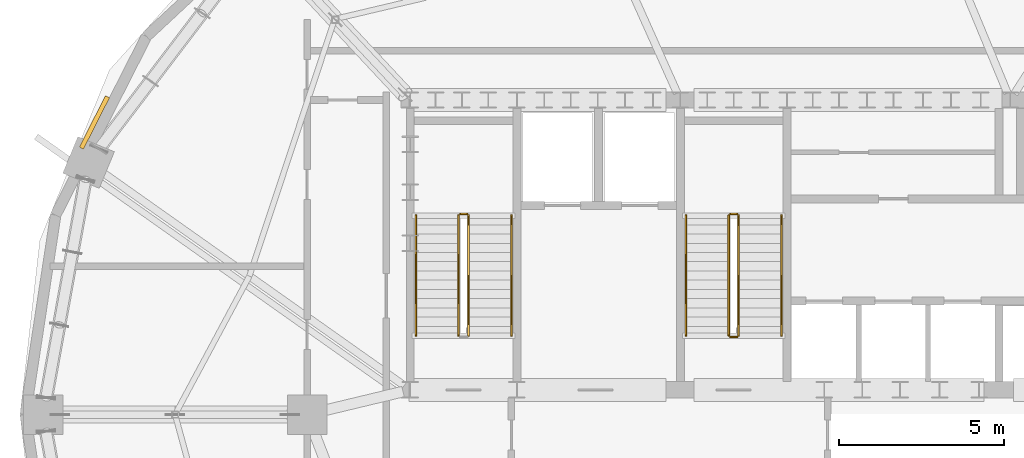
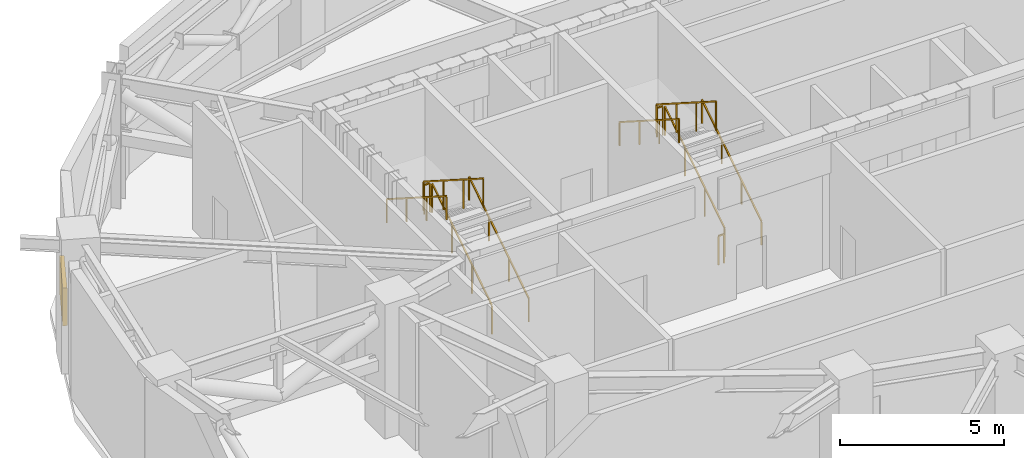
# One storey, part 15 of 17: 11 railings, 1 shading device.
"""IFC4 building model written with IfcOpenShell, lengths in metres."""

from ifc_helpers import new_model, si_unit, direction, frame, origin, origin_2d, place, context, subcontext, project, spatial, rectangle, extrude, material, type_object, element, save


model = new_model("IFC4")

# Units and contexts
model_context = context("Model", 3, precision=1e-05, world=origin(), true_north=direction((0.0, 1.0)))
body_context = subcontext(model_context, "Body", "Model", "MODEL_VIEW")
ifc_project = project(units=[si_unit("LENGTHUNIT", "METRE"), si_unit("AREAUNIT", "SQUARE_METRE"), si_unit("VOLUMEUNIT", "CUBIC_METRE"), si_unit("PLANEANGLEUNIT", "RADIAN"), si_unit("MASSUNIT", "GRAM", prefix="KILO")], contexts=[model_context])

# Site, building, storey
site_placement = place(None, origin())
site = spatial("IfcSite", under=ifc_project, at=site_placement, CompositionType="ELEMENT")
building_placement = place(site_placement, origin())
building = spatial("IfcBuilding", under=site, at=building_placement, Name="Haldorwick Loom Tower", CompositionType="ELEMENT")
storey_placement = place(building_placement, frame((0.0, 0.0, 149.449951171875)))
storey = spatial("IfcBuildingStorey", under=building, at=storey_placement, Name="L40", CompositionType="ELEMENT", Elevation=149.449951171875)

# Railings
ifc_material_1 = material(Name="Steel CSA G40.21 350W", Category="steel")
railing_type_1 = type_object("IfcRailingType", Name="ARC-RLG-GUARD112", PredefinedType="GUARDRAIL", material=ifc_material_1)
railing_1_placement = place(storey_placement, frame((23.699951171875, 28.39990234375, 0.1787109375)))
element("IfcRailing", 1, at=railing_1_placement, inside=storey, type_object=railing_type_1, Name="L40 ST-01 stair guard 1", PredefinedType="GUARDRAIL", context=body_context, shape_type="SweptSolid", body=[
    extrude(rectangle(XDim=0.048095703125, YDim=0.048095703125, at=origin_2d()), frame((0.0, 0.0, 1.076171875), z_axis=(0.0, 0.843153495434, 0.537672933239), x_axis=(-1.0, 0.0, 0.0)), (0.0, 0.0, 1.0), 4.3173828125),
    extrude(rectangle(XDim=0.0419921875, YDim=0.0419921875, at=origin_2d()), origin(), (0.0, 0.0, 1.0), 1.052001953125),
    extrude(rectangle(XDim=0.0419921875, YDim=0.0419921875, at=origin_2d()), frame((0.0, 1.21337890625, 0.773681640625)), (0.0, 0.0, 1.0), 1.052001953125),
    extrude(rectangle(XDim=0.0419921875, YDim=0.0419921875, at=origin_2d()), frame((0.0, 2.4267578125, 1.547607421875)), (0.0, 0.0, 1.0), 1.052001953125),
    extrude(rectangle(XDim=0.0419921875, YDim=0.0419921875, at=origin_2d()), frame((0.0, 3.64013671875, 2.3212890625)), (0.0, 0.0, 1.0), 1.052001953125),
])
railing_2_placement = place(storey_placement, frame((23.64990234375, 32.090087890625, 2.5)))
element("IfcRailing", 2, at=railing_2_placement, inside=storey, type_object=railing_type_1, Name="L40 ST-01 stair guard 2", PredefinedType="GUARDRAIL", context=body_context, shape_type="SweptSolid", body=[
    extrude(rectangle(XDim=0.048095703125, YDim=0.048095703125, at=origin_2d()), frame((0.0, 0.0, 1.076171875), z_axis=(-1.0, 0.0, 0.0), x_axis=(0.0, -1.0, 0.0)), (0.0, 0.0, 1.0), 0.199951171875),
    extrude(rectangle(XDim=0.0419921875, YDim=0.0419921875, at=origin_2d()), origin(), (0.0, 0.0, 1.0), 1.052001953125),
    extrude(rectangle(XDim=0.0419921875, YDim=0.0419921875, at=origin_2d()), frame((-0.199951171875, 0.0, 0.0)), (0.0, 0.0, 1.0), 1.052001953125),
])
railing_3_placement = place(storey_placement, frame((23.39990234375, 32.0400390625, 2.6787109375)))
element("IfcRailing", 3, at=railing_3_placement, inside=storey, type_object=railing_type_1, Name="L40 ST-01 stair guard 3", PredefinedType="GUARDRAIL", context=body_context, shape_type="SweptSolid", body=[
    extrude(rectangle(XDim=0.048095703125, YDim=0.048095703125, at=origin_2d()), frame((0.0, 0.0, 1.076171875), z_axis=(0.0, -0.843153495434, 0.537672933239), x_axis=(1.0, 0.0, 0.0)), (0.0, 0.0, 1.0), 4.3173828125),
    extrude(rectangle(XDim=0.0419921875, YDim=0.0419921875, at=origin_2d()), origin(), (0.0, 0.0, 1.0), 1.052001953125),
    extrude(rectangle(XDim=0.0419921875, YDim=0.0419921875, at=origin_2d()), frame((0.0, -1.21337890625, 0.773681640625)), (0.0, 0.0, 1.0), 1.052001953125),
    extrude(rectangle(XDim=0.0419921875, YDim=0.0419921875, at=origin_2d()), frame((0.0, -2.4267578125, 1.547607421875)), (0.0, 0.0, 1.0), 1.052001953125),
    extrude(rectangle(XDim=0.0419921875, YDim=0.0419921875, at=origin_2d()), frame((0.0, -3.64013671875, 2.3212890625)), (0.0, 0.0, 1.0), 1.052001953125),
])
railing_4_placement = place(storey_placement, frame((31.89990234375, 28.39990234375, 0.1787109375)))
element("IfcRailing", 4, at=railing_4_placement, inside=storey, type_object=railing_type_1, Name="L40 ST-03 stair guard 1", PredefinedType="GUARDRAIL", context=body_context, shape_type="SweptSolid", body=[
    extrude(rectangle(XDim=0.048095703125, YDim=0.048095703125, at=origin_2d()), frame((0.0, 0.0, 1.076171875), z_axis=(0.0, 0.843153495434, 0.537672933239), x_axis=(-1.0, 0.0, 0.0)), (0.0, 0.0, 1.0), 4.3173828125),
    extrude(rectangle(XDim=0.0419921875, YDim=0.0419921875, at=origin_2d()), origin(), (0.0, 0.0, 1.0), 1.052001953125),
    extrude(rectangle(XDim=0.0419921875, YDim=0.0419921875, at=origin_2d()), frame((0.0, 1.21337890625, 0.773681640625)), (0.0, 0.0, 1.0), 1.052001953125),
    extrude(rectangle(XDim=0.0419921875, YDim=0.0419921875, at=origin_2d()), frame((0.0, 2.4267578125, 1.547607421875)), (0.0, 0.0, 1.0), 1.052001953125),
    extrude(rectangle(XDim=0.0419921875, YDim=0.0419921875, at=origin_2d()), frame((0.0, 3.64013671875, 2.3212890625)), (0.0, 0.0, 1.0), 1.052001953125),
])
railing_5_placement = place(storey_placement, frame((31.85009765625, 32.090087890625, 2.5)))
element("IfcRailing", 5, at=railing_5_placement, inside=storey, type_object=railing_type_1, Name="L40 ST-03 stair guard 2", PredefinedType="GUARDRAIL", context=body_context, shape_type="SweptSolid", body=[
    extrude(rectangle(XDim=0.048095703125, YDim=0.048095703125, at=origin_2d()), frame((0.0, 0.0, 1.076171875), z_axis=(-1.0, 0.0, 0.0), x_axis=(0.0, -1.0, 0.0)), (0.0, 0.0, 1.0), 0.2001953125),
    extrude(rectangle(XDim=0.0419921875, YDim=0.0419921875, at=origin_2d()), origin(), (0.0, 0.0, 1.0), 1.052001953125),
    extrude(rectangle(XDim=0.0419921875, YDim=0.0419921875, at=origin_2d()), frame((-0.2001953125, 0.0, 0.0)), (0.0, 0.0, 1.0), 1.052001953125),
])
railing_6_placement = place(storey_placement, frame((31.60009765625, 32.0400390625, 2.6787109375)))
element("IfcRailing", 6, at=railing_6_placement, inside=storey, type_object=railing_type_1, Name="L40 ST-03 stair guard 3", PredefinedType="GUARDRAIL", context=body_context, shape_type="SweptSolid", body=[
    extrude(rectangle(XDim=0.048095703125, YDim=0.048095703125, at=origin_2d()), frame((0.0, 0.0, 1.076171875), z_axis=(0.0, -0.843153495434, 0.537672933239), x_axis=(1.0, 0.0, 0.0)), (0.0, 0.0, 1.0), 4.3173828125),
    extrude(rectangle(XDim=0.0419921875, YDim=0.0419921875, at=origin_2d()), origin(), (0.0, 0.0, 1.0), 1.052001953125),
    extrude(rectangle(XDim=0.0419921875, YDim=0.0419921875, at=origin_2d()), frame((0.0, -1.21337890625, 0.773681640625)), (0.0, 0.0, 1.0), 1.052001953125),
    extrude(rectangle(XDim=0.0419921875, YDim=0.0419921875, at=origin_2d()), frame((0.0, -2.4267578125, 1.547607421875)), (0.0, 0.0, 1.0), 1.052001953125),
    extrude(rectangle(XDim=0.0419921875, YDim=0.0419921875, at=origin_2d()), frame((0.0, -3.64013671875, 2.3212890625)), (0.0, 0.0, 1.0), 1.052001953125),
])
railing_7_placement = place(storey_placement, frame((31.85009765625, 28.35009765625, 0.0)))
element("IfcRailing", 7, at=railing_7_placement, inside=storey, type_object=railing_type_1, Name="L40 ST-03 stair guard 4", PredefinedType="GUARDRAIL", context=body_context, shape_type="SweptSolid", body=[
    extrude(rectangle(XDim=0.048095703125, YDim=0.048095703125, at=origin_2d()), frame((0.0, 0.0, 1.076171875), z_axis=(-1.0, 0.0, 0.0), x_axis=(0.0, -1.0, 0.0)), (0.0, 0.0, 1.0), 0.2001953125),
    extrude(rectangle(XDim=0.0419921875, YDim=0.0419921875, at=origin_2d()), origin(), (0.0, 0.0, 1.0), 1.052001953125),
    extrude(rectangle(XDim=0.0419921875, YDim=0.0419921875, at=origin_2d()), frame((-0.2001953125, 0.0, 0.0)), (0.0, 0.0, 1.0), 1.052001953125),
])
railing_type_2 = type_object("IfcRailingType", Name="ARC-RLG-HAND092", PredefinedType="HANDRAIL", material=ifc_material_1)
railing_8_placement = place(storey_placement, frame((25.0, 28.39990234375, 0.1787109375)))
element("IfcRailing", 8, at=railing_8_placement, inside=storey, type_object=railing_type_2, Name="L40 ST-01 stair handrail 1", PredefinedType="HANDRAIL", context=body_context, shape_type="SweptSolid", body=[
    extrude(rectangle(XDim=0.048095703125, YDim=0.048095703125, at=origin_2d()), frame((0.0, 0.0, 0.8759765625), z_axis=(0.0, 0.843153495434, 0.537672933239), x_axis=(-1.0, 0.0, 0.0)), (0.0, 0.0, 1.0), 4.3173828125),
    extrude(rectangle(XDim=0.0419921875, YDim=0.0419921875, at=origin_2d()), origin(), (0.0, 0.0, 1.0), 0.851806640625),
    extrude(rectangle(XDim=0.0419921875, YDim=0.0419921875, at=origin_2d()), frame((0.0, 1.21337890625, 0.773681640625)), (0.0, 0.0, 1.0), 0.851806640625),
    extrude(rectangle(XDim=0.0419921875, YDim=0.0419921875, at=origin_2d()), frame((0.0, 2.4267578125, 1.547607421875)), (0.0, 0.0, 1.0), 0.851806640625),
    extrude(rectangle(XDim=0.0419921875, YDim=0.0419921875, at=origin_2d()), frame((0.0, 3.64013671875, 2.3212890625)), (0.0, 0.0, 1.0), 0.851806640625),
])
railing_9_placement = place(storey_placement, frame((22.10009765625, 32.0400390625, 2.6787109375)))
element("IfcRailing", 9, at=railing_9_placement, inside=storey, type_object=railing_type_2, Name="L40 ST-01 stair handrail 2", PredefinedType="HANDRAIL", context=body_context, shape_type="SweptSolid", body=[
    extrude(rectangle(XDim=0.048095703125, YDim=0.048095703125, at=origin_2d()), frame((0.0, 0.0, 0.8759765625), z_axis=(0.0, -0.843153495434, 0.537672933239), x_axis=(1.0, 0.0, 0.0)), (0.0, 0.0, 1.0), 4.3173828125),
    extrude(rectangle(XDim=0.0419921875, YDim=0.0419921875, at=origin_2d()), origin(), (0.0, 0.0, 1.0), 0.851806640625),
    extrude(rectangle(XDim=0.0419921875, YDim=0.0419921875, at=origin_2d()), frame((0.0, -1.21337890625, 0.773681640625)), (0.0, 0.0, 1.0), 0.851806640625),
    extrude(rectangle(XDim=0.0419921875, YDim=0.0419921875, at=origin_2d()), frame((0.0, -2.4267578125, 1.547607421875)), (0.0, 0.0, 1.0), 0.851806640625),
    extrude(rectangle(XDim=0.0419921875, YDim=0.0419921875, at=origin_2d()), frame((0.0, -3.64013671875, 2.3212890625)), (0.0, 0.0, 1.0), 0.851806640625),
])
railing_10_placement = place(storey_placement, frame((33.199951171875, 28.39990234375, 0.1787109375)))
element("IfcRailing", 10, at=railing_10_placement, inside=storey, type_object=railing_type_2, Name="L40 ST-03 stair handrail 1", PredefinedType="HANDRAIL", context=body_context, shape_type="SweptSolid", body=[
    extrude(rectangle(XDim=0.048095703125, YDim=0.048095703125, at=origin_2d()), frame((0.0, 0.0, 0.8759765625), z_axis=(0.0, 0.843153495434, 0.537672933239), x_axis=(-1.0, 0.0, 0.0)), (0.0, 0.0, 1.0), 4.3173828125),
    extrude(rectangle(XDim=0.0419921875, YDim=0.0419921875, at=origin_2d()), origin(), (0.0, 0.0, 1.0), 0.851806640625),
    extrude(rectangle(XDim=0.0419921875, YDim=0.0419921875, at=origin_2d()), frame((0.0, 1.21337890625, 0.773681640625)), (0.0, 0.0, 1.0), 0.851806640625),
    extrude(rectangle(XDim=0.0419921875, YDim=0.0419921875, at=origin_2d()), frame((0.0, 2.4267578125, 1.547607421875)), (0.0, 0.0, 1.0), 0.851806640625),
    extrude(rectangle(XDim=0.0419921875, YDim=0.0419921875, at=origin_2d()), frame((0.0, 3.64013671875, 2.3212890625)), (0.0, 0.0, 1.0), 0.851806640625),
])
railing_11_placement = place(storey_placement, frame((30.300048828125, 32.0400390625, 2.6787109375)))
element("IfcRailing", 11, at=railing_11_placement, inside=storey, type_object=railing_type_2, Name="L40 ST-03 stair handrail 2", PredefinedType="HANDRAIL", context=body_context, shape_type="SweptSolid", body=[
    extrude(rectangle(XDim=0.048095703125, YDim=0.048095703125, at=origin_2d()), frame((0.0, 0.0, 0.8759765625), z_axis=(0.0, -0.843153495434, 0.537672933239), x_axis=(1.0, 0.0, 0.0)), (0.0, 0.0, 1.0), 4.3173828125),
    extrude(rectangle(XDim=0.0419921875, YDim=0.0419921875, at=origin_2d()), origin(), (0.0, 0.0, 1.0), 0.851806640625),
    extrude(rectangle(XDim=0.0419921875, YDim=0.0419921875, at=origin_2d()), frame((0.0, -1.21337890625, 0.773681640625)), (0.0, 0.0, 1.0), 0.851806640625),
    extrude(rectangle(XDim=0.0419921875, YDim=0.0419921875, at=origin_2d()), frame((0.0, -2.4267578125, 1.547607421875)), (0.0, 0.0, 1.0), 0.851806640625),
    extrude(rectangle(XDim=0.0419921875, YDim=0.0419921875, at=origin_2d()), frame((0.0, -3.64013671875, 2.3212890625)), (0.0, 0.0, 1.0), 0.851806640625),
])

# Shading device
ifc_material_2 = material(Name="Extruded Anodized Aluminium Weather Louvre", Category="aluminium")
shading_device_type = type_object("IfcShadingDeviceType", Name="ARC-SHD-LOUVRE2", PredefinedType="JALOUSIE", material=ifc_material_2)
shading_device_placement = place(storey_placement, frame((12.34375, 34.870361328125, 1.150146484375), z_axis=(0.0, 0.0, 1.0), x_axis=(-0.452434709312, -0.891797529605, 0.0)))
element("IfcShadingDevice", 12, at=shading_device_placement, inside=storey, type_object=shading_device_type, Name="L40 Mechanical Intake Weather Louvre 11", PredefinedType="JALOUSIE", context=body_context, shape_type="SweptSolid", body=[
    extrude(rectangle(XDim=1.75, YDim=0.139892578125, at=origin_2d()), origin(), (0.0, 0.0, 1.0), 1.39990234375),
])

save(model, "model.ifc")
